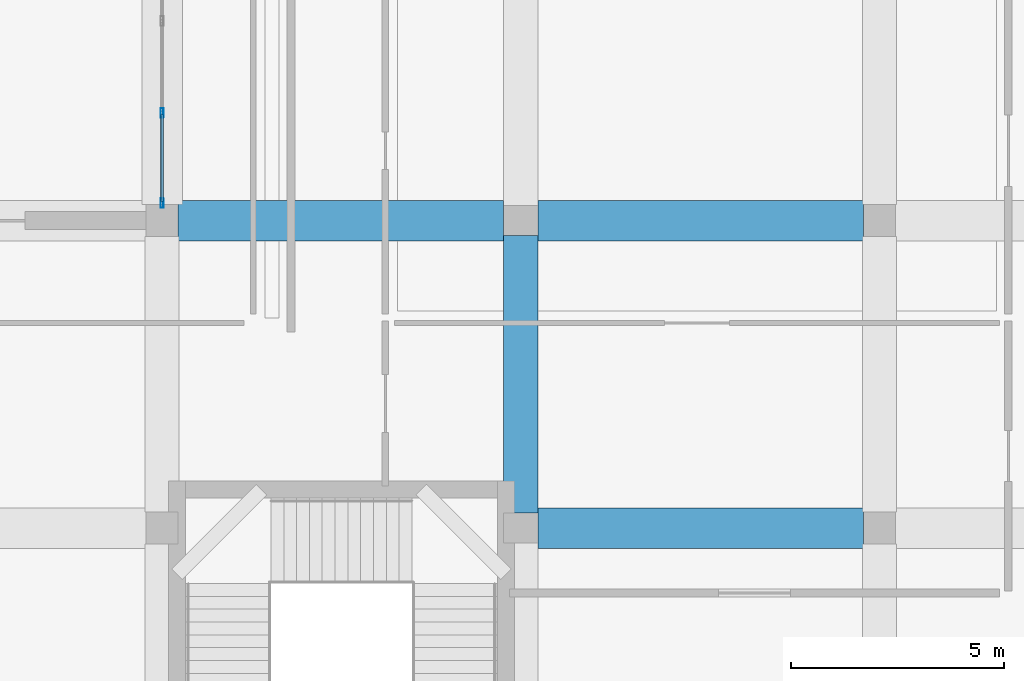
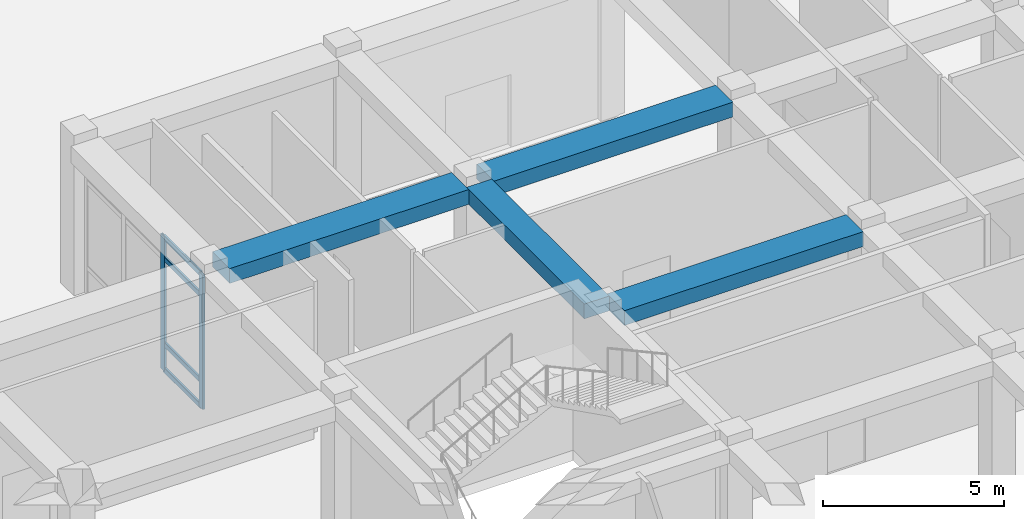
# One storey, part 29 of 84: 6 members, 4 beams, 1 element without a shape of its own.
"""IFC4 building model written with IfcOpenShell, lengths in metres."""

import ifcopenshell
import ifcopenshell.guid

model = None  # the IFC model being written
_history = None  # IfcOwnerHistory: only IFC2X3 demands one
_inside = {}  # id of a spatial element -> (the spatial element, [elements in it])
_under = {}  # id of a project, library or spatial element -> (it, [spatial elements below it])
_declared = {}  # id of a project -> (the project, [libraries it declares])
_typed = {}  # id of a type object -> (the type object, [elements of that type])
_made_of = {}  # id of a material, layer set ... -> (it, [elements and type objects made of it])


def new_model(schema):
    """Start an empty IFC model of exactly this schema.

    Asked for "IFC4X3", IfcOpenShell would pick the latest addendum, in which some entities
    have other attributes; the version numbers below select the first issue.
    IFC2X3 requires an IfcOwnerHistory on every rooted entity: one is made here for all.
    """
    global model, _history
    if schema == "IFC4X3":
        model = ifcopenshell.file(schema_version=(4, 3, 0, 0))
    else:
        model = ifcopenshell.file(schema=schema)
    _inside.clear()
    _under.clear()
    _declared.clear()
    _typed.clear()
    _made_of.clear()
    _history = None
    if model.schema == "IFC2X3":
        org = make("IfcOrganization", Name="unknown")
        user = make(
            "IfcPersonAndOrganization",
            ThePerson=make("IfcPerson", FamilyName="unknown"),
            TheOrganization=org,
        )
        app = make(
            "IfcApplication",
            ApplicationDeveloper=org,
            Version="unknown",
            ApplicationFullName="unknown",
            ApplicationIdentifier="unknown",
        )
        _history = make(
            "IfcOwnerHistory",
            OwningUser=user,
            OwningApplication=app,
            ChangeAction="ADDED",
            CreationDate=0,
        )
    return model


def make(cls, **values):
    """One entity of the class cls with the attributes given. An attribute that is None is left unset."""
    return model.create_entity(
        cls, **{name: value for name, value in values.items() if value is not None}
    )


def rooted(cls, **values):
    """An entity with a GlobalId (a new one), such as an element, a storey or a relation."""
    return make(cls, GlobalId=ifcopenshell.guid.new(), OwnerHistory=_history, **values)


def si_unit(unit_type, name, prefix=None):
    """IfcSIUnit, for example si_unit("LENGTHUNIT", "METRE", prefix="MILLI")."""
    return make("IfcSIUnit", UnitType=unit_type, Prefix=prefix, Name=name)


def derived_unit(unit_type, elements):
    """IfcDerivedUnit: a product of units, each with its exponent."""
    return make(
        "IfcDerivedUnit",
        Elements=[
            make("IfcDerivedUnitElement", Unit=unit, Exponent=power)
            for unit, power in elements
        ],
        UnitType=unit_type,
    )


def assignment(units):
    """IfcUnitAssignment: the units of a project."""
    return None if units is None else make("IfcUnitAssignment", Units=units)


def point(xyz):
    """IfcCartesianPoint."""
    return None if xyz is None else make("IfcCartesianPoint", Coordinates=xyz)


def direction(xyz):
    """IfcDirection."""
    return None if xyz is None else make("IfcDirection", DirectionRatios=xyz)


def frame(location, z_axis=None, x_axis=None):
    """IfcAxis2Placement3D, a coordinate frame: its origin and axes. An axis left out is left unset."""
    return make(
        "IfcAxis2Placement3D",
        Location=point(location),
        Axis=direction(z_axis),
        RefDirection=direction(x_axis),
    )


def frame_2d(location, x_axis=None):
    """IfcAxis2Placement2D, a coordinate frame in the plane: its origin and x axis."""
    return make(
        "IfcAxis2Placement2D", Location=point(location), RefDirection=direction(x_axis)
    )


def origin():
    """The frame at (0, 0, 0) with its axes left unset."""
    return frame((0.0, 0.0, 0.0))


def origin_2d():
    """The frame at (0, 0) in the plane with its x axis left unset."""
    return frame_2d((0.0, 0.0))


def place(relative_to, where):
    """IfcLocalPlacement: puts the frame where relative to a parent placement (None: the world)."""
    return make(
        "IfcLocalPlacement", PlacementRelTo=relative_to, RelativePlacement=where
    )


def context(
    kind, dimensions, precision=None, world=None, true_north=None, identifier=None
):
    """IfcGeometricRepresentationContext, for example the 3D "Model" context."""
    return make(
        "IfcGeometricRepresentationContext",
        ContextIdentifier=identifier,
        ContextType=kind,
        CoordinateSpaceDimension=dimensions,
        Precision=precision,
        WorldCoordinateSystem=world,
        TrueNorth=true_north,
    )


def subcontext(parent, identifier, kind, view, scale=None):
    """IfcGeometricRepresentationSubContext, for example "Body" below "Model"."""
    return make(
        "IfcGeometricRepresentationSubContext",
        ContextIdentifier=identifier,
        ContextType=kind,
        ParentContext=parent,
        TargetScale=scale,
        TargetView=view,
    )


def project(units=None, contexts=None):
    """IfcProject with its units and contexts."""
    return rooted(
        "IfcProject",
        Name="project",
        RepresentationContexts=contexts,
        UnitsInContext=assignment(units),
    )


def spatial(cls, under=None, at=None, **own):
    """A site, building, storey or space (cls), placed at a placement, below another one or the project."""
    s = rooted(cls, ObjectPlacement=at, **own)
    if under is not None:
        _under.setdefault(under.id(), (under, []))[1].append(s)
    return s


def profile(cls, at=None, kind="AREA", **sizes):
    """A parametric profile (cls). Its sizes go by their IFC names, for example OverallWidth=200.0."""
    return make(cls, ProfileType=kind, Position=at, **sizes)


def rectangle(**sizes):
    """IfcRectangleProfileDef."""
    return profile("IfcRectangleProfileDef", **sizes)


def hollow_rectangle(**sizes):
    """IfcRectangleHollowProfileDef."""
    return profile("IfcRectangleHollowProfileDef", **sizes)


def extrude(swept, where, along, depth):
    """IfcExtrudedAreaSolid: the profile swept, set in the frame where, extruded along a direction by depth."""
    return make(
        "IfcExtrudedAreaSolid",
        SweptArea=swept,
        Position=where,
        ExtrudedDirection=direction(along),
        Depth=depth,
    )


def shape(context_of_items, identifier, shape_type, items):
    """IfcShapeRepresentation: the items that make up one representation, for example the "Body"."""
    return make(
        "IfcShapeRepresentation",
        ContextOfItems=context_of_items,
        RepresentationIdentifier=identifier,
        RepresentationType=shape_type,
        Items=items,
    )


def material(Name=None, Category=None):
    """IfcMaterial."""
    return make("IfcMaterial", Name=Name, Category=Category)


def material_profile(
    of_material, cross_section, Name=None, Category=None, Priority=None
):
    """IfcMaterialProfile: a cross section and its material."""
    return make(
        "IfcMaterialProfile",
        Name=Name,
        Material=of_material,
        Profile=cross_section,
        Priority=Priority,
        Category=Category,
    )


def profile_set(profiles, Name=None, composite=None):
    """IfcMaterialProfileSet."""
    return make(
        "IfcMaterialProfileSet",
        Name=Name,
        MaterialProfiles=profiles,
        CompositeProfile=composite,
    )


def made_of(thing, what):
    """Note that an element or type object is made of a material, layer set ...; save() writes the relation."""
    if what is not None:
        _made_of.setdefault(what.id(), (what, []))[1].append(thing)
    return thing


def type_object(cls, material=None, **own):
    """A type object (cls), such as IfcWallType, which elements share."""
    return made_of(rooted(cls, **own), material)


def element(
    cls,
    number,
    at=None,
    inside=None,
    cuts=None,
    type_object=None,
    material=None,
    context=None,
    identifier="Body",
    shape_type=None,
    held_by="IfcProductDefinitionShape",
    body=None,
    shapes=None,
    **own,
):
    """One element of the class cls, such as IfcWall. Its Tag is "e" and its number.

    at: its placement. inside: the storey or other place that contains it. cuts: it is an
    opening in that element (IfcRelVoidsElement). A single representation is given by context,
    identifier, shape_type and body (its items); several are given by shapes. held_by: the class
    of the entity that holds the representations. save() writes the other relations.
    """
    e = rooted(cls, Tag="e%d" % number, ObjectPlacement=at, **own)
    if body is not None:
        shapes = [shape(context, identifier, shape_type, body)]
    if shapes is not None:
        e.Representation = make(held_by, Representations=shapes)
    if inside is not None:
        _inside.setdefault(inside.id(), (inside, []))[1].append(e)
    if cuts is not None:
        rooted(
            "IfcRelVoidsElement", RelatingBuildingElement=cuts, RelatedOpeningElement=e
        )
    if type_object is not None:
        _typed.setdefault(type_object.id(), (type_object, []))[1].append(e)
    return made_of(e, material)


def aggregate(whole, parts):
    """IfcRelAggregates: a whole, such as a stair, and the parts it consists of."""
    return rooted("IfcRelAggregates", RelatingObject=whole, RelatedObjects=parts)


def save(model, path):
    """Write the relations noted so far, then the file.

    IfcRelAggregates (storeys below a building ...), IfcRelContainedInSpatialStructure (elements
    in a storey), IfcRelDefinesByType, IfcRelAssociatesMaterial and IfcRelDeclares: one each for
    every whole, place, type object, material and project.
    """
    for whole, parts in _under.values():
        aggregate(whole, parts)
    for where, things in _inside.values():
        rooted(
            "IfcRelContainedInSpatialStructure",
            RelatedElements=things,
            RelatingStructure=where,
        )
    for kind, things in _typed.values():
        rooted("IfcRelDefinesByType", RelatedObjects=things, RelatingType=kind)
    for what, things in _made_of.values():
        rooted("IfcRelAssociatesMaterial", RelatedObjects=things, RelatingMaterial=what)
    for by, libraries in _declared.values():
        rooted("IfcRelDeclares", RelatingContext=by, RelatedDefinitions=libraries)
    model.write(path)


model = new_model("IFC4")

# Units and contexts
model_context = context("Model", 3, precision=1e-05, world=origin(), true_north=direction((0.0, 1.0)))
body_context = subcontext(model_context, "Body", "Model", "MODEL_VIEW")
ifc_project = project(units=[si_unit("LENGTHUNIT", "METRE"), si_unit("AREAUNIT", "SQUARE_METRE"), si_unit("VOLUMEUNIT", "CUBIC_METRE"), si_unit("PLANEANGLEUNIT", "RADIAN"), si_unit("MASSUNIT", "GRAM", prefix="KILO"), derived_unit("THERMALTRANSMITTANCEUNIT", [(si_unit("POWERUNIT", "WATT"), 1), (si_unit("LENGTHUNIT", "METRE"), -2), (si_unit("THERMODYNAMICTEMPERATUREUNIT", "KELVIN"), -1)])], contexts=[model_context])

# Site, building, storey
site_placement = place(None, origin())
site = spatial("IfcSite", under=ifc_project, at=site_placement, CompositionType="ELEMENT")
building_placement = place(site_placement, origin())
building = spatial("IfcBuilding", under=site, at=building_placement, Name="Veybourne Emporium", CompositionType="ELEMENT")
storey_placement = place(building_placement, origin())
storey = spatial("IfcBuildingStorey", under=building, at=storey_placement, Name="L00", CompositionType="ELEMENT", Elevation=0.0)

# Curtain wall, members
ifc_material_1 = material(Name="Patinated Architectural Bronze", Category="bronze")
curtain_wall_type = type_object("IfcCurtainWallType", Name="CWSystem_CWS-01", PredefinedType="NOTDEFINED", material=ifc_material_1)
curtain_wall_placement = place(storey_placement, origin())
curtain_wall = element("IfcCurtainWall", 1, at=curtain_wall_placement, inside=storey, type_object=curtain_wall_type, Name="L00 bronze glazed curtain wall CWS-01 (018)", PredefinedType="NOTDEFINED")
ifc_material_profile_1 = material_profile(ifc_material_1, hollow_rectangle(XDim=0.072021484375, YDim=0.22509765625, WallThickness=0.0048828125, InnerFilletRadius=0.007568359375, OuterFilletRadius=0.012451171875, at=origin_2d()), Name="CWM 72x225x5")
ifc_profile_set_1 = profile_set([ifc_material_profile_1], Name="Patinated Architectural Bronze")
member_type_1 = type_object("IfcMemberType", Name="CWMullion_CW-M1", PredefinedType="MULLION", material=ifc_profile_set_1)
member_1_placement = place(storey_placement, frame((16.800048828125, 79.611083984375, 0.0), z_axis=(0.0, 0.0, 1.0), x_axis=(-1.0, 0.0, 0.0)))
member_1 = element("IfcMember", 2, at=member_1_placement, type_object=member_type_1, Name="CWS-01 mullion 1", PredefinedType="MULLION", context=body_context, shape_type="SweptSolid", body=[
    extrude(hollow_rectangle(XDim=0.072021484375, YDim=0.22509765625, WallThickness=0.0048828125, InnerFilletRadius=0.007568359375, OuterFilletRadius=0.012451171875, at=origin_2d()), origin(), (0.0, 0.0, 1.0), 4.530029296875),
])
member_2_placement = place(storey_placement, frame((16.800048828125, 81.72509765625, 0.0), z_axis=(0.0, 0.0, 1.0), x_axis=(-1.0, 0.0, 0.0)))
member_2 = element("IfcMember", 3, at=member_2_placement, type_object=member_type_1, Name="CWS-01 mullion 2", PredefinedType="MULLION", context=body_context, shape_type="SweptSolid", body=[
    extrude(hollow_rectangle(XDim=0.072021484375, YDim=0.22509765625, WallThickness=0.0048828125, InnerFilletRadius=0.007568359375, OuterFilletRadius=0.012451171875, at=origin_2d()), origin(), (0.0, 0.0, 1.0), 4.530029296875),
])
ifc_material_profile_2 = material_profile(ifc_material_1, hollow_rectangle(XDim=0.072021484375, YDim=0.175048828125, WallThickness=0.0048828125, InnerFilletRadius=0.007568359375, OuterFilletRadius=0.012451171875, at=origin_2d()), Name="CWT 72x175x5")
ifc_profile_set_2 = profile_set([ifc_material_profile_2], Name="Patinated Architectural Bronze")
member_type_2 = type_object("IfcMemberType", Name="CWTransom_CW-T1", PredefinedType="NOTDEFINED", material=ifc_profile_set_2)
member_3_placement = place(storey_placement, frame((16.800048828125, 79.64697265625, 0.035888671875), z_axis=(0.0, 1.0, 0.0), x_axis=(-1.0, 0.0, 0.0)))
member_3 = element("IfcMember", 4, at=member_3_placement, type_object=member_type_2, Name="CWS-01 transom 1.1", ObjectType="TRANSOM", PredefinedType="USERDEFINED", context=body_context, shape_type="SweptSolid", body=[
    extrude(hollow_rectangle(XDim=0.072021484375, YDim=0.175048828125, WallThickness=0.0048828125, InnerFilletRadius=0.007568359375, OuterFilletRadius=0.012451171875, at=origin_2d()), origin(), (0.0, 0.0, 1.0), 2.0419921875),
])
member_4_placement = place(storey_placement, frame((16.800048828125, 79.64697265625, 0.89990234375), z_axis=(0.0, 1.0, 0.0), x_axis=(-1.0, 0.0, 0.0)))
member_4 = element("IfcMember", 5, at=member_4_placement, type_object=member_type_2, Name="CWS-01 transom 1.2", ObjectType="TRANSOM", PredefinedType="USERDEFINED", context=body_context, shape_type="SweptSolid", body=[
    extrude(hollow_rectangle(XDim=0.072021484375, YDim=0.175048828125, WallThickness=0.0048828125, InnerFilletRadius=0.007568359375, OuterFilletRadius=0.012451171875, at=origin_2d()), origin(), (0.0, 0.0, 1.0), 2.0419921875),
])
member_5_placement = place(storey_placement, frame((16.800048828125, 79.64697265625, 3.780029296875), z_axis=(0.0, 1.0, 0.0), x_axis=(-1.0, 0.0, 0.0)))
member_5 = element("IfcMember", 6, at=member_5_placement, type_object=member_type_2, Name="CWS-01 transom 1.3", ObjectType="TRANSOM", PredefinedType="USERDEFINED", context=body_context, shape_type="SweptSolid", body=[
    extrude(hollow_rectangle(XDim=0.072021484375, YDim=0.175048828125, WallThickness=0.0048828125, InnerFilletRadius=0.007568359375, OuterFilletRadius=0.012451171875, at=origin_2d()), origin(), (0.0, 0.0, 1.0), 2.0419921875),
])
member_6_placement = place(storey_placement, frame((16.800048828125, 79.64697265625, 4.493896484375), z_axis=(0.0, 1.0, 0.0), x_axis=(-1.0, 0.0, 0.0)))
member_6 = element("IfcMember", 7, at=member_6_placement, type_object=member_type_2, Name="CWS-01 transom 1.4", ObjectType="TRANSOM", PredefinedType="USERDEFINED", context=body_context, shape_type="SweptSolid", body=[
    extrude(hollow_rectangle(XDim=0.072021484375, YDim=0.175048828125, WallThickness=0.0048828125, InnerFilletRadius=0.007568359375, OuterFilletRadius=0.012451171875, at=origin_2d()), origin(), (0.0, 0.0, 1.0), 2.0419921875),
])
aggregate(curtain_wall, [member_1, member_2, member_3, member_4, member_5, member_6])

# Beams
ifc_material_2 = material(Name="Concrete C32/40", Category="concrete")
ifc_material_profile_3 = material_profile(ifc_material_2, rectangle(XDim=0.949951171875, YDim=0.5, at=origin_2d()), Name="RC 950x500")
ifc_profile_set_3 = profile_set([ifc_material_profile_3], Name="Concrete C32/40")
beam_type_1 = type_object("IfcBeamType", Name="RCBeam_BB-01", PredefinedType="BEAM", material=ifc_profile_set_3)
for number, where, z_axis, x_axis, name in (
    (8, (17.175048828125, 79.199951171875, 4.830078125), (1.0, 0.0, 0.0), (0.0, 1.0, 0.0), "L00 X-grid beam BB-01 (2,11)"),
    (9, (25.60009765625, 72.0, 4.830078125), (1.0, 0.0, 0.0), (0.0, 1.0, 0.0), "L00 X-grid beam BB-01 (3,10)"),
    (10, (25.60009765625, 79.199951171875, 4.830078125), (1.0, 0.0, 0.0), (0.0, 1.0, 0.0), "L00 X-grid beam BB-01 (3,11)"),
):
    element("IfcBeam", number, at=place(storey_placement, frame(where, z_axis=z_axis, x_axis=x_axis)), inside=storey, type_object=beam_type_1, Name=name, PredefinedType="BEAM", context=body_context, shape_type="SweptSolid", body=[
        extrude(rectangle(XDim=0.949951171875, YDim=0.5, at=origin_2d()), origin(), (0.0, 0.0, 1.0), 7.625),
    ])
ifc_material_profile_4 = material_profile(ifc_material_2, rectangle(XDim=0.800048828125, YDim=0.5, at=origin_2d()), Name="RC 800x500")
ifc_profile_set_4 = profile_set([ifc_material_profile_4], Name="Concrete C32/40")
beam_type_2 = type_object("IfcBeamType", Name="RCBeam_BB-02", PredefinedType="BEAM", material=ifc_profile_set_4)
beam_placement = place(storey_placement, frame((25.199951171875, 72.35009765625, 4.830078125), z_axis=(0.0, 1.0, 0.0), x_axis=(-1.0, 0.0, 0.0)))
element("IfcBeam", 11, at=beam_placement, inside=storey, type_object=beam_type_2, Name="L00 Y-grid beam BB-02 (3,10)", PredefinedType="BEAM", context=body_context, shape_type="SweptSolid", body=[
    extrude(rectangle(XDim=0.800048828125, YDim=0.5, at=origin_2d()), origin(), (0.0, 0.0, 1.0), 6.5),
])

save(model, "model.ifc")
